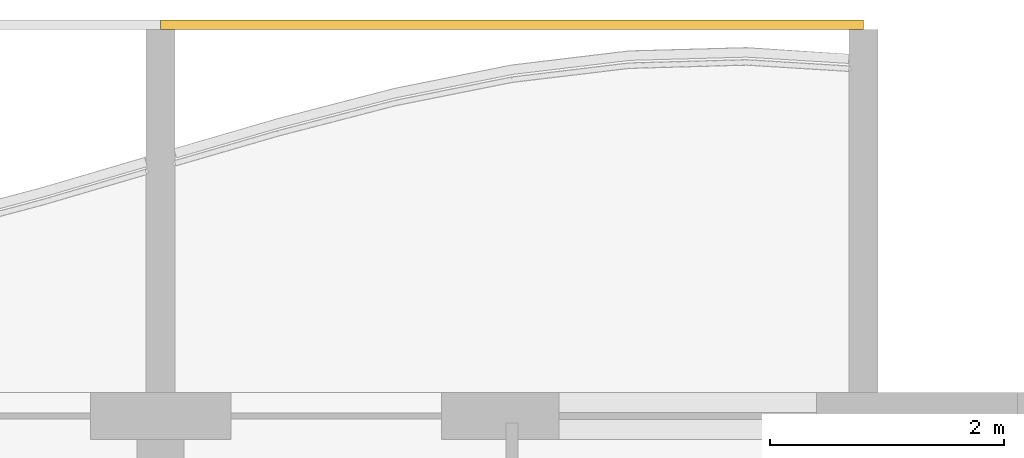
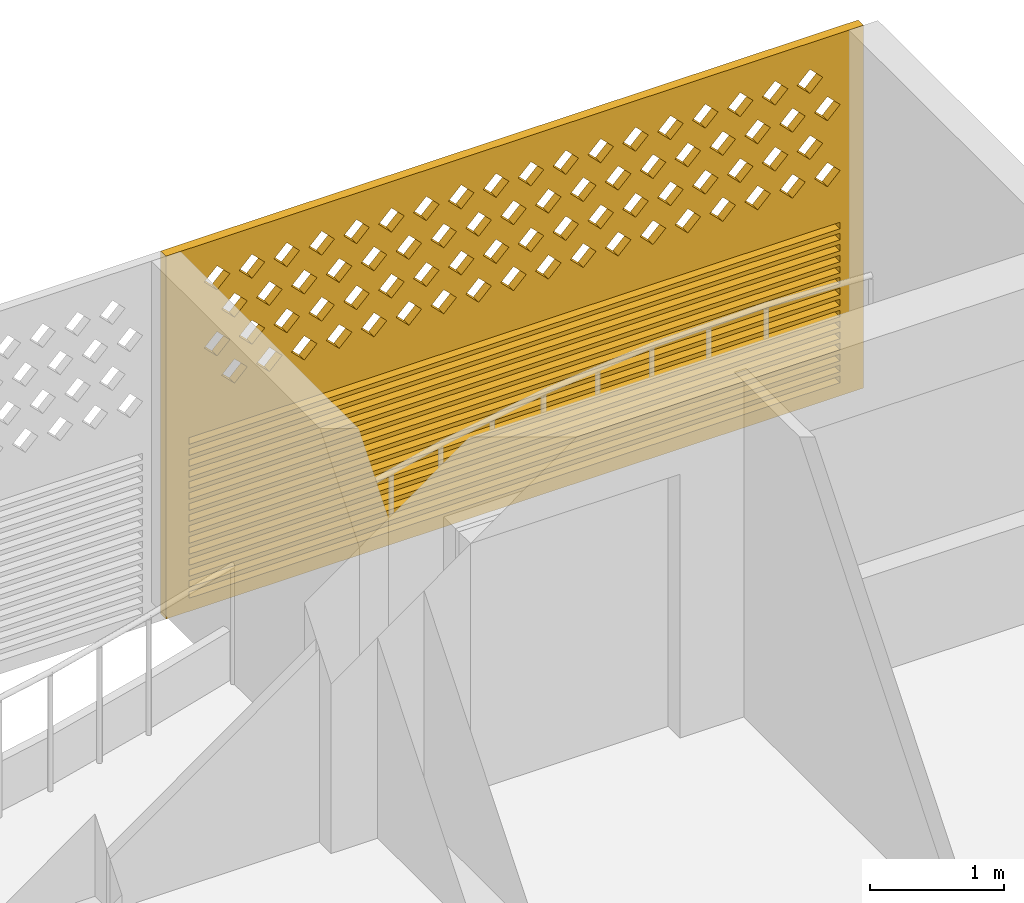
# One storey, part 44 of 44: 1 covering.
"""IFC4 building model written with IfcOpenShell, lengths in metres."""

from ifc_helpers import new_model, si_unit, direction, frame, origin, place, context, subcontext, project, spatial, polyline, outline, extrude, source, transform, mapped, material, material_profile, profile_set, type_object, element, save


model = new_model("IFC4")

# Units and contexts
model_context = context("Model", 3, precision=1e-05, world=origin(), true_north=direction((0.0, 1.0)))
body_context = subcontext(model_context, "Body", "Model", "MODEL_VIEW")
ifc_project = project(units=[si_unit("LENGTHUNIT", "METRE"), si_unit("AREAUNIT", "SQUARE_METRE"), si_unit("VOLUMEUNIT", "CUBIC_METRE"), si_unit("PLANEANGLEUNIT", "RADIAN"), si_unit("MASSUNIT", "GRAM", prefix="KILO")], contexts=[model_context])

# Site, building, storey
site_placement = place(None, origin())
site = spatial("IfcSite", under=ifc_project, at=site_placement, CompositionType="ELEMENT")
building_placement = place(site_placement, origin())
building = spatial("IfcBuilding", under=site, at=building_placement, Name="Poui Terraces", CompositionType="ELEMENT")
storey_placement = place(building_placement, frame((0.0, 0.0, 30.0)))
storey = spatial("IfcBuildingStorey", under=building, at=storey_placement, Name="L07", CompositionType="ELEMENT", Elevation=30.0)

# Covering
ifc_material = material(Name="Terracotta screen", Category="masonry")
ifc_material_profile = material_profile(ifc_material, outline(polyline([(-3.0, -1.64990234375), (3.0, -1.64990234375), (3.0, 1.64990234375), (-3.0, 1.64990234375), (-3.0, -1.64990234375)]), holes=[polyline([(-2.800048828125, 0.39990234375), (-2.68994140625, 0.2900390625), (-2.580078125, 0.39990234375), (-2.68994140625, 0.510009765625), (-2.800048828125, 0.39990234375)]), polyline([(-2.5, 0.39990234375), (-2.389892578125, 0.2900390625), (-2.280029296875, 0.39990234375), (-2.389892578125, 0.510009765625), (-2.5, 0.39990234375)]), polyline([(-2.199951171875, 0.39990234375), (-2.090087890625, 0.2900390625), (-1.97998046875, 0.39990234375), (-2.090087890625, 0.510009765625), (-2.199951171875, 0.39990234375)]), polyline([(-1.89990234375, 0.39990234375), (-1.7900390625, 0.2900390625), (-1.679931640625, 0.39990234375), (-1.7900390625, 0.510009765625), (-1.89990234375, 0.39990234375)]), polyline([(-1.60009765625, 0.39990234375), (-1.489990234375, 0.2900390625), (-1.3798828125, 0.39990234375), (-1.489990234375, 0.510009765625), (-1.60009765625, 0.39990234375)]), polyline([(-1.300048828125, 0.39990234375), (-1.18994140625, 0.2900390625), (-1.080078125, 0.39990234375), (-1.18994140625, 0.510009765625), (-1.300048828125, 0.39990234375)]), polyline([(-1.0, 0.39990234375), (-0.889892578125, 0.2900390625), (-0.780029296875, 0.39990234375), (-0.889892578125, 0.510009765625), (-1.0, 0.39990234375)]), polyline([(-0.699951171875, 0.39990234375), (-0.590087890625, 0.2900390625), (-0.47998046875, 0.39990234375), (-0.590087890625, 0.510009765625), (-0.699951171875, 0.39990234375)]), polyline([(-0.39990234375, 0.39990234375), (-0.2900390625, 0.2900390625), (-0.179931640625, 0.39990234375), (-0.2900390625, 0.510009765625), (-0.39990234375, 0.39990234375)]), polyline([(-0.10009765625, 0.39990234375), (0.010009765625, 0.2900390625), (0.1201171875, 0.39990234375), (0.010009765625, 0.510009765625), (-0.10009765625, 0.39990234375)]), polyline([(0.199951171875, 0.39990234375), (0.31005859375, 0.2900390625), (0.419921875, 0.39990234375), (0.31005859375, 0.510009765625), (0.199951171875, 0.39990234375)]), polyline([(0.5, 0.39990234375), (0.610107421875, 0.2900390625), (0.719970703125, 0.39990234375), (0.610107421875, 0.510009765625), (0.5, 0.39990234375)]), polyline([(0.800048828125, 0.39990234375), (0.909912109375, 0.2900390625), (1.02001953125, 0.39990234375), (0.909912109375, 0.510009765625), (0.800048828125, 0.39990234375)]), polyline([(1.10009765625, 0.39990234375), (1.2099609375, 0.2900390625), (1.320068359375, 0.39990234375), (1.2099609375, 0.510009765625), (1.10009765625, 0.39990234375)]), polyline([(1.39990234375, 0.39990234375), (1.510009765625, 0.2900390625), (1.6201171875, 0.39990234375), (1.510009765625, 0.510009765625), (1.39990234375, 0.39990234375)]), polyline([(1.699951171875, 0.39990234375), (1.81005859375, 0.2900390625), (1.919921875, 0.39990234375), (1.81005859375, 0.510009765625), (1.699951171875, 0.39990234375)]), polyline([(2.0, 0.39990234375), (2.110107421875, 0.2900390625), (2.219970703125, 0.39990234375), (2.110107421875, 0.510009765625), (2.0, 0.39990234375)]), polyline([(2.300048828125, 0.39990234375), (2.409912109375, 0.2900390625), (2.52001953125, 0.39990234375), (2.409912109375, 0.510009765625), (2.300048828125, 0.39990234375)]), polyline([(-2.64990234375, 0.699951171875), (-2.5400390625, 0.590087890625), (-2.429931640625, 0.699951171875), (-2.5400390625, 0.81005859375), (-2.64990234375, 0.699951171875)]), polyline([(-2.35009765625, 0.699951171875), (-2.239990234375, 0.590087890625), (-2.1298828125, 0.699951171875), (-2.239990234375, 0.81005859375), (-2.35009765625, 0.699951171875)]), polyline([(-2.050048828125, 0.699951171875), (-1.93994140625, 0.590087890625), (-1.830078125, 0.699951171875), (-1.93994140625, 0.81005859375), (-2.050048828125, 0.699951171875)]), polyline([(-1.75, 0.699951171875), (-1.639892578125, 0.590087890625), (-1.530029296875, 0.699951171875), (-1.639892578125, 0.81005859375), (-1.75, 0.699951171875)]), polyline([(-1.449951171875, 0.699951171875), (-1.340087890625, 0.590087890625), (-1.22998046875, 0.699951171875), (-1.340087890625, 0.81005859375), (-1.449951171875, 0.699951171875)]), polyline([(-1.14990234375, 0.699951171875), (-1.0400390625, 0.590087890625), (-0.929931640625, 0.699951171875), (-1.0400390625, 0.81005859375), (-1.14990234375, 0.699951171875)]), polyline([(-0.85009765625, 0.699951171875), (-0.739990234375, 0.590087890625), (-0.6298828125, 0.699951171875), (-0.739990234375, 0.81005859375), (-0.85009765625, 0.699951171875)]), polyline([(-0.550048828125, 0.699951171875), (-0.43994140625, 0.590087890625), (-0.330078125, 0.699951171875), (-0.43994140625, 0.81005859375), (-0.550048828125, 0.699951171875)]), polyline([(-0.25, 0.699951171875), (-0.139892578125, 0.590087890625), (-0.030029296875, 0.699951171875), (-0.139892578125, 0.81005859375), (-0.25, 0.699951171875)]), polyline([(0.050048828125, 0.699951171875), (0.159912109375, 0.590087890625), (0.27001953125, 0.699951171875), (0.159912109375, 0.81005859375), (0.050048828125, 0.699951171875)]), polyline([(0.35009765625, 0.699951171875), (0.4599609375, 0.590087890625), (0.570068359375, 0.699951171875), (0.4599609375, 0.81005859375), (0.35009765625, 0.699951171875)]), polyline([(0.64990234375, 0.699951171875), (0.760009765625, 0.590087890625), (0.8701171875, 0.699951171875), (0.760009765625, 0.81005859375), (0.64990234375, 0.699951171875)]), polyline([(0.949951171875, 0.699951171875), (1.06005859375, 0.590087890625), (1.169921875, 0.699951171875), (1.06005859375, 0.81005859375), (0.949951171875, 0.699951171875)]), polyline([(1.25, 0.699951171875), (1.360107421875, 0.590087890625), (1.469970703125, 0.699951171875), (1.360107421875, 0.81005859375), (1.25, 0.699951171875)]), polyline([(1.550048828125, 0.699951171875), (1.659912109375, 0.590087890625), (1.77001953125, 0.699951171875), (1.659912109375, 0.81005859375), (1.550048828125, 0.699951171875)]), polyline([(1.85009765625, 0.699951171875), (1.9599609375, 0.590087890625), (2.070068359375, 0.699951171875), (1.9599609375, 0.81005859375), (1.85009765625, 0.699951171875)]), polyline([(2.14990234375, 0.699951171875), (2.260009765625, 0.590087890625), (2.3701171875, 0.699951171875), (2.260009765625, 0.81005859375), (2.14990234375, 0.699951171875)]), polyline([(2.449951171875, 0.699951171875), (2.56005859375, 0.590087890625), (2.669921875, 0.699951171875), (2.56005859375, 0.81005859375), (2.449951171875, 0.699951171875)]), polyline([(-2.800048828125, 1.0), (-2.68994140625, 0.889892578125), (-2.580078125, 1.0), (-2.68994140625, 1.110107421875), (-2.800048828125, 1.0)]), polyline([(-2.5, 1.0), (-2.389892578125, 0.889892578125), (-2.280029296875, 1.0), (-2.389892578125, 1.110107421875), (-2.5, 1.0)]), polyline([(-2.199951171875, 1.0), (-2.090087890625, 0.889892578125), (-1.97998046875, 1.0), (-2.090087890625, 1.110107421875), (-2.199951171875, 1.0)]), polyline([(-1.89990234375, 1.0), (-1.7900390625, 0.889892578125), (-1.679931640625, 1.0), (-1.7900390625, 1.110107421875), (-1.89990234375, 1.0)]), polyline([(-1.60009765625, 1.0), (-1.489990234375, 0.889892578125), (-1.3798828125, 1.0), (-1.489990234375, 1.110107421875), (-1.60009765625, 1.0)]), polyline([(-1.300048828125, 1.0), (-1.18994140625, 0.889892578125), (-1.080078125, 1.0), (-1.18994140625, 1.110107421875), (-1.300048828125, 1.0)]), polyline([(-1.0, 1.0), (-0.889892578125, 0.889892578125), (-0.780029296875, 1.0), (-0.889892578125, 1.110107421875), (-1.0, 1.0)]), polyline([(-0.699951171875, 1.0), (-0.590087890625, 0.889892578125), (-0.47998046875, 1.0), (-0.590087890625, 1.110107421875), (-0.699951171875, 1.0)]), polyline([(-0.39990234375, 1.0), (-0.2900390625, 0.889892578125), (-0.179931640625, 1.0), (-0.2900390625, 1.110107421875), (-0.39990234375, 1.0)]), polyline([(-0.10009765625, 1.0), (0.010009765625, 0.889892578125), (0.1201171875, 1.0), (0.010009765625, 1.110107421875), (-0.10009765625, 1.0)]), polyline([(0.199951171875, 1.0), (0.31005859375, 0.889892578125), (0.419921875, 1.0), (0.31005859375, 1.110107421875), (0.199951171875, 1.0)]), polyline([(0.5, 1.0), (0.610107421875, 0.889892578125), (0.719970703125, 1.0), (0.610107421875, 1.110107421875), (0.5, 1.0)]), polyline([(0.800048828125, 1.0), (0.909912109375, 0.889892578125), (1.02001953125, 1.0), (0.909912109375, 1.110107421875), (0.800048828125, 1.0)]), polyline([(1.10009765625, 1.0), (1.2099609375, 0.889892578125), (1.320068359375, 1.0), (1.2099609375, 1.110107421875), (1.10009765625, 1.0)]), polyline([(1.39990234375, 1.0), (1.510009765625, 0.889892578125), (1.6201171875, 1.0), (1.510009765625, 1.110107421875), (1.39990234375, 1.0)]), polyline([(1.699951171875, 1.0), (1.81005859375, 0.889892578125), (1.919921875, 1.0), (1.81005859375, 1.110107421875), (1.699951171875, 1.0)]), polyline([(2.0, 1.0), (2.110107421875, 0.889892578125), (2.219970703125, 1.0), (2.110107421875, 1.110107421875), (2.0, 1.0)]), polyline([(2.300048828125, 1.0), (2.409912109375, 0.889892578125), (2.52001953125, 1.0), (2.409912109375, 1.110107421875), (2.300048828125, 1.0)]), polyline([(-2.64990234375, 1.300048828125), (-2.5400390625, 1.18994140625), (-2.429931640625, 1.300048828125), (-2.5400390625, 1.409912109375), (-2.64990234375, 1.300048828125)]), polyline([(-2.35009765625, 1.300048828125), (-2.239990234375, 1.18994140625), (-2.1298828125, 1.300048828125), (-2.239990234375, 1.409912109375), (-2.35009765625, 1.300048828125)]), polyline([(-2.050048828125, 1.300048828125), (-1.93994140625, 1.18994140625), (-1.830078125, 1.300048828125), (-1.93994140625, 1.409912109375), (-2.050048828125, 1.300048828125)]), polyline([(-1.75, 1.300048828125), (-1.639892578125, 1.18994140625), (-1.530029296875, 1.300048828125), (-1.639892578125, 1.409912109375), (-1.75, 1.300048828125)]), polyline([(-1.449951171875, 1.300048828125), (-1.340087890625, 1.18994140625), (-1.22998046875, 1.300048828125), (-1.340087890625, 1.409912109375), (-1.449951171875, 1.300048828125)]), polyline([(-1.14990234375, 1.300048828125), (-1.0400390625, 1.18994140625), (-0.929931640625, 1.300048828125), (-1.0400390625, 1.409912109375), (-1.14990234375, 1.300048828125)]), polyline([(-0.85009765625, 1.300048828125), (-0.739990234375, 1.18994140625), (-0.6298828125, 1.300048828125), (-0.739990234375, 1.409912109375), (-0.85009765625, 1.300048828125)]), polyline([(-0.550048828125, 1.300048828125), (-0.43994140625, 1.18994140625), (-0.330078125, 1.300048828125), (-0.43994140625, 1.409912109375), (-0.550048828125, 1.300048828125)]), polyline([(-0.25, 1.300048828125), (-0.139892578125, 1.18994140625), (-0.030029296875, 1.300048828125), (-0.139892578125, 1.409912109375), (-0.25, 1.300048828125)]), polyline([(0.050048828125, 1.300048828125), (0.159912109375, 1.18994140625), (0.27001953125, 1.300048828125), (0.159912109375, 1.409912109375), (0.050048828125, 1.300048828125)]), polyline([(0.35009765625, 1.300048828125), (0.4599609375, 1.18994140625), (0.570068359375, 1.300048828125), (0.4599609375, 1.409912109375), (0.35009765625, 1.300048828125)]), polyline([(0.64990234375, 1.300048828125), (0.760009765625, 1.18994140625), (0.8701171875, 1.300048828125), (0.760009765625, 1.409912109375), (0.64990234375, 1.300048828125)]), polyline([(0.949951171875, 1.300048828125), (1.06005859375, 1.18994140625), (1.169921875, 1.300048828125), (1.06005859375, 1.409912109375), (0.949951171875, 1.300048828125)]), polyline([(1.25, 1.300048828125), (1.360107421875, 1.18994140625), (1.469970703125, 1.300048828125), (1.360107421875, 1.409912109375), (1.25, 1.300048828125)]), polyline([(1.550048828125, 1.300048828125), (1.659912109375, 1.18994140625), (1.77001953125, 1.300048828125), (1.659912109375, 1.409912109375), (1.550048828125, 1.300048828125)]), polyline([(1.85009765625, 1.300048828125), (1.9599609375, 1.18994140625), (2.070068359375, 1.300048828125), (1.9599609375, 1.409912109375), (1.85009765625, 1.300048828125)]), polyline([(2.14990234375, 1.300048828125), (2.260009765625, 1.18994140625), (2.3701171875, 1.300048828125), (2.260009765625, 1.409912109375), (2.14990234375, 1.300048828125)]), polyline([(2.449951171875, 1.300048828125), (2.56005859375, 1.18994140625), (2.669921875, 1.300048828125), (2.56005859375, 1.409912109375), (2.449951171875, 1.300048828125)]), polyline([(-2.800048828125, -1.530029296875), (2.800048828125, -1.530029296875), (2.800048828125, -1.469970703125), (-2.800048828125, -1.469970703125), (-2.800048828125, -1.530029296875)]), polyline([(-2.800048828125, -1.429931640625), (2.800048828125, -1.429931640625), (2.800048828125, -1.3701171875), (-2.800048828125, -1.3701171875), (-2.800048828125, -1.429931640625)]), polyline([(-2.800048828125, -1.330078125), (2.800048828125, -1.330078125), (2.800048828125, -1.27001953125), (-2.800048828125, -1.27001953125), (-2.800048828125, -1.330078125)]), polyline([(-2.800048828125, -1.22998046875), (2.800048828125, -1.22998046875), (2.800048828125, -1.169921875), (-2.800048828125, -1.169921875), (-2.800048828125, -1.22998046875)]), polyline([(-2.800048828125, -1.1298828125), (2.800048828125, -1.1298828125), (2.800048828125, -1.070068359375), (-2.800048828125, -1.070068359375), (-2.800048828125, -1.1298828125)]), polyline([(-2.800048828125, -1.030029296875), (2.800048828125, -1.030029296875), (2.800048828125, -0.969970703125), (-2.800048828125, -0.969970703125), (-2.800048828125, -1.030029296875)]), polyline([(-2.800048828125, -0.929931640625), (2.800048828125, -0.929931640625), (2.800048828125, -0.8701171875), (-2.800048828125, -0.8701171875), (-2.800048828125, -0.929931640625)]), polyline([(-2.800048828125, -0.830078125), (2.800048828125, -0.830078125), (2.800048828125, -0.77001953125), (-2.800048828125, -0.77001953125), (-2.800048828125, -0.830078125)]), polyline([(-2.800048828125, -0.72998046875), (2.800048828125, -0.72998046875), (2.800048828125, -0.669921875), (-2.800048828125, -0.669921875), (-2.800048828125, -0.72998046875)]), polyline([(-2.800048828125, -0.6298828125), (2.800048828125, -0.6298828125), (2.800048828125, -0.570068359375), (-2.800048828125, -0.570068359375), (-2.800048828125, -0.6298828125)]), polyline([(-2.800048828125, -0.530029296875), (2.800048828125, -0.530029296875), (2.800048828125, -0.469970703125), (-2.800048828125, -0.469970703125), (-2.800048828125, -0.530029296875)]), polyline([(-2.800048828125, -0.429931640625), (2.800048828125, -0.429931640625), (2.800048828125, -0.3701171875), (-2.800048828125, -0.3701171875), (-2.800048828125, -0.429931640625)]), polyline([(-2.800048828125, -0.330078125), (2.800048828125, -0.330078125), (2.800048828125, -0.27001953125), (-2.800048828125, -0.27001953125), (-2.800048828125, -0.330078125)]), polyline([(-2.800048828125, -0.22998046875), (2.800048828125, -0.22998046875), (2.800048828125, -0.169921875), (-2.800048828125, -0.169921875), (-2.800048828125, -0.22998046875)]), polyline([(-2.800048828125, -0.1298828125), (2.800048828125, -0.1298828125), (2.800048828125, -0.070068359375), (-2.800048828125, -0.070068359375), (-2.800048828125, -0.1298828125)])]), Name="TERRACOTTA SCREEN AND JALOUSIE LOUVRE 6000X3300")
ifc_profile_set = profile_set([ifc_material_profile], Name="Terracotta screen")
covering_type = type_object("IfcCoveringType", Name="TERRACOTTA SCREEN AND JALOUSIE LOUVRE 6000X3300", PredefinedType="CLADDING", material=ifc_profile_set)
shared_shape = source(origin(), body_context, "Body", "SweptSolid", [
    extrude(outline(polyline([(-3.0, -1.64990234375), (3.0, -1.64990234375), (3.0, 1.64990234375), (-3.0, 1.64990234375), (-3.0, -1.64990234375)]), holes=[polyline([(-2.800048828125, 0.39990234375), (-2.68994140625, 0.2900390625), (-2.580078125, 0.39990234375), (-2.68994140625, 0.510009765625), (-2.800048828125, 0.39990234375)]), polyline([(-2.5, 0.39990234375), (-2.389892578125, 0.2900390625), (-2.280029296875, 0.39990234375), (-2.389892578125, 0.510009765625), (-2.5, 0.39990234375)]), polyline([(-2.199951171875, 0.39990234375), (-2.090087890625, 0.2900390625), (-1.97998046875, 0.39990234375), (-2.090087890625, 0.510009765625), (-2.199951171875, 0.39990234375)]), polyline([(-1.89990234375, 0.39990234375), (-1.7900390625, 0.2900390625), (-1.679931640625, 0.39990234375), (-1.7900390625, 0.510009765625), (-1.89990234375, 0.39990234375)]), polyline([(-1.60009765625, 0.39990234375), (-1.489990234375, 0.2900390625), (-1.3798828125, 0.39990234375), (-1.489990234375, 0.510009765625), (-1.60009765625, 0.39990234375)]), polyline([(-1.300048828125, 0.39990234375), (-1.18994140625, 0.2900390625), (-1.080078125, 0.39990234375), (-1.18994140625, 0.510009765625), (-1.300048828125, 0.39990234375)]), polyline([(-1.0, 0.39990234375), (-0.889892578125, 0.2900390625), (-0.780029296875, 0.39990234375), (-0.889892578125, 0.510009765625), (-1.0, 0.39990234375)]), polyline([(-0.699951171875, 0.39990234375), (-0.590087890625, 0.2900390625), (-0.47998046875, 0.39990234375), (-0.590087890625, 0.510009765625), (-0.699951171875, 0.39990234375)]), polyline([(-0.39990234375, 0.39990234375), (-0.2900390625, 0.2900390625), (-0.179931640625, 0.39990234375), (-0.2900390625, 0.510009765625), (-0.39990234375, 0.39990234375)]), polyline([(-0.10009765625, 0.39990234375), (0.010009765625, 0.2900390625), (0.1201171875, 0.39990234375), (0.010009765625, 0.510009765625), (-0.10009765625, 0.39990234375)]), polyline([(0.199951171875, 0.39990234375), (0.31005859375, 0.2900390625), (0.419921875, 0.39990234375), (0.31005859375, 0.510009765625), (0.199951171875, 0.39990234375)]), polyline([(0.5, 0.39990234375), (0.610107421875, 0.2900390625), (0.719970703125, 0.39990234375), (0.610107421875, 0.510009765625), (0.5, 0.39990234375)]), polyline([(0.800048828125, 0.39990234375), (0.909912109375, 0.2900390625), (1.02001953125, 0.39990234375), (0.909912109375, 0.510009765625), (0.800048828125, 0.39990234375)]), polyline([(1.10009765625, 0.39990234375), (1.2099609375, 0.2900390625), (1.320068359375, 0.39990234375), (1.2099609375, 0.510009765625), (1.10009765625, 0.39990234375)]), polyline([(1.39990234375, 0.39990234375), (1.510009765625, 0.2900390625), (1.6201171875, 0.39990234375), (1.510009765625, 0.510009765625), (1.39990234375, 0.39990234375)]), polyline([(1.699951171875, 0.39990234375), (1.81005859375, 0.2900390625), (1.919921875, 0.39990234375), (1.81005859375, 0.510009765625), (1.699951171875, 0.39990234375)]), polyline([(2.0, 0.39990234375), (2.110107421875, 0.2900390625), (2.219970703125, 0.39990234375), (2.110107421875, 0.510009765625), (2.0, 0.39990234375)]), polyline([(2.300048828125, 0.39990234375), (2.409912109375, 0.2900390625), (2.52001953125, 0.39990234375), (2.409912109375, 0.510009765625), (2.300048828125, 0.39990234375)]), polyline([(-2.64990234375, 0.699951171875), (-2.5400390625, 0.590087890625), (-2.429931640625, 0.699951171875), (-2.5400390625, 0.81005859375), (-2.64990234375, 0.699951171875)]), polyline([(-2.35009765625, 0.699951171875), (-2.239990234375, 0.590087890625), (-2.1298828125, 0.699951171875), (-2.239990234375, 0.81005859375), (-2.35009765625, 0.699951171875)]), polyline([(-2.050048828125, 0.699951171875), (-1.93994140625, 0.590087890625), (-1.830078125, 0.699951171875), (-1.93994140625, 0.81005859375), (-2.050048828125, 0.699951171875)]), polyline([(-1.75, 0.699951171875), (-1.639892578125, 0.590087890625), (-1.530029296875, 0.699951171875), (-1.639892578125, 0.81005859375), (-1.75, 0.699951171875)]), polyline([(-1.449951171875, 0.699951171875), (-1.340087890625, 0.590087890625), (-1.22998046875, 0.699951171875), (-1.340087890625, 0.81005859375), (-1.449951171875, 0.699951171875)]), polyline([(-1.14990234375, 0.699951171875), (-1.0400390625, 0.590087890625), (-0.929931640625, 0.699951171875), (-1.0400390625, 0.81005859375), (-1.14990234375, 0.699951171875)]), polyline([(-0.85009765625, 0.699951171875), (-0.739990234375, 0.590087890625), (-0.6298828125, 0.699951171875), (-0.739990234375, 0.81005859375), (-0.85009765625, 0.699951171875)]), polyline([(-0.550048828125, 0.699951171875), (-0.43994140625, 0.590087890625), (-0.330078125, 0.699951171875), (-0.43994140625, 0.81005859375), (-0.550048828125, 0.699951171875)]), polyline([(-0.25, 0.699951171875), (-0.139892578125, 0.590087890625), (-0.030029296875, 0.699951171875), (-0.139892578125, 0.81005859375), (-0.25, 0.699951171875)]), polyline([(0.050048828125, 0.699951171875), (0.159912109375, 0.590087890625), (0.27001953125, 0.699951171875), (0.159912109375, 0.81005859375), (0.050048828125, 0.699951171875)]), polyline([(0.35009765625, 0.699951171875), (0.4599609375, 0.590087890625), (0.570068359375, 0.699951171875), (0.4599609375, 0.81005859375), (0.35009765625, 0.699951171875)]), polyline([(0.64990234375, 0.699951171875), (0.760009765625, 0.590087890625), (0.8701171875, 0.699951171875), (0.760009765625, 0.81005859375), (0.64990234375, 0.699951171875)]), polyline([(0.949951171875, 0.699951171875), (1.06005859375, 0.590087890625), (1.169921875, 0.699951171875), (1.06005859375, 0.81005859375), (0.949951171875, 0.699951171875)]), polyline([(1.25, 0.699951171875), (1.360107421875, 0.590087890625), (1.469970703125, 0.699951171875), (1.360107421875, 0.81005859375), (1.25, 0.699951171875)]), polyline([(1.550048828125, 0.699951171875), (1.659912109375, 0.590087890625), (1.77001953125, 0.699951171875), (1.659912109375, 0.81005859375), (1.550048828125, 0.699951171875)]), polyline([(1.85009765625, 0.699951171875), (1.9599609375, 0.590087890625), (2.070068359375, 0.699951171875), (1.9599609375, 0.81005859375), (1.85009765625, 0.699951171875)]), polyline([(2.14990234375, 0.699951171875), (2.260009765625, 0.590087890625), (2.3701171875, 0.699951171875), (2.260009765625, 0.81005859375), (2.14990234375, 0.699951171875)]), polyline([(2.449951171875, 0.699951171875), (2.56005859375, 0.590087890625), (2.669921875, 0.699951171875), (2.56005859375, 0.81005859375), (2.449951171875, 0.699951171875)]), polyline([(-2.800048828125, 1.0), (-2.68994140625, 0.889892578125), (-2.580078125, 1.0), (-2.68994140625, 1.110107421875), (-2.800048828125, 1.0)]), polyline([(-2.5, 1.0), (-2.389892578125, 0.889892578125), (-2.280029296875, 1.0), (-2.389892578125, 1.110107421875), (-2.5, 1.0)]), polyline([(-2.199951171875, 1.0), (-2.090087890625, 0.889892578125), (-1.97998046875, 1.0), (-2.090087890625, 1.110107421875), (-2.199951171875, 1.0)]), polyline([(-1.89990234375, 1.0), (-1.7900390625, 0.889892578125), (-1.679931640625, 1.0), (-1.7900390625, 1.110107421875), (-1.89990234375, 1.0)]), polyline([(-1.60009765625, 1.0), (-1.489990234375, 0.889892578125), (-1.3798828125, 1.0), (-1.489990234375, 1.110107421875), (-1.60009765625, 1.0)]), polyline([(-1.300048828125, 1.0), (-1.18994140625, 0.889892578125), (-1.080078125, 1.0), (-1.18994140625, 1.110107421875), (-1.300048828125, 1.0)]), polyline([(-1.0, 1.0), (-0.889892578125, 0.889892578125), (-0.780029296875, 1.0), (-0.889892578125, 1.110107421875), (-1.0, 1.0)]), polyline([(-0.699951171875, 1.0), (-0.590087890625, 0.889892578125), (-0.47998046875, 1.0), (-0.590087890625, 1.110107421875), (-0.699951171875, 1.0)]), polyline([(-0.39990234375, 1.0), (-0.2900390625, 0.889892578125), (-0.179931640625, 1.0), (-0.2900390625, 1.110107421875), (-0.39990234375, 1.0)]), polyline([(-0.10009765625, 1.0), (0.010009765625, 0.889892578125), (0.1201171875, 1.0), (0.010009765625, 1.110107421875), (-0.10009765625, 1.0)]), polyline([(0.199951171875, 1.0), (0.31005859375, 0.889892578125), (0.419921875, 1.0), (0.31005859375, 1.110107421875), (0.199951171875, 1.0)]), polyline([(0.5, 1.0), (0.610107421875, 0.889892578125), (0.719970703125, 1.0), (0.610107421875, 1.110107421875), (0.5, 1.0)]), polyline([(0.800048828125, 1.0), (0.909912109375, 0.889892578125), (1.02001953125, 1.0), (0.909912109375, 1.110107421875), (0.800048828125, 1.0)]), polyline([(1.10009765625, 1.0), (1.2099609375, 0.889892578125), (1.320068359375, 1.0), (1.2099609375, 1.110107421875), (1.10009765625, 1.0)]), polyline([(1.39990234375, 1.0), (1.510009765625, 0.889892578125), (1.6201171875, 1.0), (1.510009765625, 1.110107421875), (1.39990234375, 1.0)]), polyline([(1.699951171875, 1.0), (1.81005859375, 0.889892578125), (1.919921875, 1.0), (1.81005859375, 1.110107421875), (1.699951171875, 1.0)]), polyline([(2.0, 1.0), (2.110107421875, 0.889892578125), (2.219970703125, 1.0), (2.110107421875, 1.110107421875), (2.0, 1.0)]), polyline([(2.300048828125, 1.0), (2.409912109375, 0.889892578125), (2.52001953125, 1.0), (2.409912109375, 1.110107421875), (2.300048828125, 1.0)]), polyline([(-2.64990234375, 1.300048828125), (-2.5400390625, 1.18994140625), (-2.429931640625, 1.300048828125), (-2.5400390625, 1.409912109375), (-2.64990234375, 1.300048828125)]), polyline([(-2.35009765625, 1.300048828125), (-2.239990234375, 1.18994140625), (-2.1298828125, 1.300048828125), (-2.239990234375, 1.409912109375), (-2.35009765625, 1.300048828125)]), polyline([(-2.050048828125, 1.300048828125), (-1.93994140625, 1.18994140625), (-1.830078125, 1.300048828125), (-1.93994140625, 1.409912109375), (-2.050048828125, 1.300048828125)]), polyline([(-1.75, 1.300048828125), (-1.639892578125, 1.18994140625), (-1.530029296875, 1.300048828125), (-1.639892578125, 1.409912109375), (-1.75, 1.300048828125)]), polyline([(-1.449951171875, 1.300048828125), (-1.340087890625, 1.18994140625), (-1.22998046875, 1.300048828125), (-1.340087890625, 1.409912109375), (-1.449951171875, 1.300048828125)]), polyline([(-1.14990234375, 1.300048828125), (-1.0400390625, 1.18994140625), (-0.929931640625, 1.300048828125), (-1.0400390625, 1.409912109375), (-1.14990234375, 1.300048828125)]), polyline([(-0.85009765625, 1.300048828125), (-0.739990234375, 1.18994140625), (-0.6298828125, 1.300048828125), (-0.739990234375, 1.409912109375), (-0.85009765625, 1.300048828125)]), polyline([(-0.550048828125, 1.300048828125), (-0.43994140625, 1.18994140625), (-0.330078125, 1.300048828125), (-0.43994140625, 1.409912109375), (-0.550048828125, 1.300048828125)]), polyline([(-0.25, 1.300048828125), (-0.139892578125, 1.18994140625), (-0.030029296875, 1.300048828125), (-0.139892578125, 1.409912109375), (-0.25, 1.300048828125)]), polyline([(0.050048828125, 1.300048828125), (0.159912109375, 1.18994140625), (0.27001953125, 1.300048828125), (0.159912109375, 1.409912109375), (0.050048828125, 1.300048828125)]), polyline([(0.35009765625, 1.300048828125), (0.4599609375, 1.18994140625), (0.570068359375, 1.300048828125), (0.4599609375, 1.409912109375), (0.35009765625, 1.300048828125)]), polyline([(0.64990234375, 1.300048828125), (0.760009765625, 1.18994140625), (0.8701171875, 1.300048828125), (0.760009765625, 1.409912109375), (0.64990234375, 1.300048828125)]), polyline([(0.949951171875, 1.300048828125), (1.06005859375, 1.18994140625), (1.169921875, 1.300048828125), (1.06005859375, 1.409912109375), (0.949951171875, 1.300048828125)]), polyline([(1.25, 1.300048828125), (1.360107421875, 1.18994140625), (1.469970703125, 1.300048828125), (1.360107421875, 1.409912109375), (1.25, 1.300048828125)]), polyline([(1.550048828125, 1.300048828125), (1.659912109375, 1.18994140625), (1.77001953125, 1.300048828125), (1.659912109375, 1.409912109375), (1.550048828125, 1.300048828125)]), polyline([(1.85009765625, 1.300048828125), (1.9599609375, 1.18994140625), (2.070068359375, 1.300048828125), (1.9599609375, 1.409912109375), (1.85009765625, 1.300048828125)]), polyline([(2.14990234375, 1.300048828125), (2.260009765625, 1.18994140625), (2.3701171875, 1.300048828125), (2.260009765625, 1.409912109375), (2.14990234375, 1.300048828125)]), polyline([(2.449951171875, 1.300048828125), (2.56005859375, 1.18994140625), (2.669921875, 1.300048828125), (2.56005859375, 1.409912109375), (2.449951171875, 1.300048828125)]), polyline([(-2.800048828125, -1.530029296875), (2.800048828125, -1.530029296875), (2.800048828125, -1.469970703125), (-2.800048828125, -1.469970703125), (-2.800048828125, -1.530029296875)]), polyline([(-2.800048828125, -1.429931640625), (2.800048828125, -1.429931640625), (2.800048828125, -1.3701171875), (-2.800048828125, -1.3701171875), (-2.800048828125, -1.429931640625)]), polyline([(-2.800048828125, -1.330078125), (2.800048828125, -1.330078125), (2.800048828125, -1.27001953125), (-2.800048828125, -1.27001953125), (-2.800048828125, -1.330078125)]), polyline([(-2.800048828125, -1.22998046875), (2.800048828125, -1.22998046875), (2.800048828125, -1.169921875), (-2.800048828125, -1.169921875), (-2.800048828125, -1.22998046875)]), polyline([(-2.800048828125, -1.1298828125), (2.800048828125, -1.1298828125), (2.800048828125, -1.070068359375), (-2.800048828125, -1.070068359375), (-2.800048828125, -1.1298828125)]), polyline([(-2.800048828125, -1.030029296875), (2.800048828125, -1.030029296875), (2.800048828125, -0.969970703125), (-2.800048828125, -0.969970703125), (-2.800048828125, -1.030029296875)]), polyline([(-2.800048828125, -0.929931640625), (2.800048828125, -0.929931640625), (2.800048828125, -0.8701171875), (-2.800048828125, -0.8701171875), (-2.800048828125, -0.929931640625)]), polyline([(-2.800048828125, -0.830078125), (2.800048828125, -0.830078125), (2.800048828125, -0.77001953125), (-2.800048828125, -0.77001953125), (-2.800048828125, -0.830078125)]), polyline([(-2.800048828125, -0.72998046875), (2.800048828125, -0.72998046875), (2.800048828125, -0.669921875), (-2.800048828125, -0.669921875), (-2.800048828125, -0.72998046875)]), polyline([(-2.800048828125, -0.6298828125), (2.800048828125, -0.6298828125), (2.800048828125, -0.570068359375), (-2.800048828125, -0.570068359375), (-2.800048828125, -0.6298828125)]), polyline([(-2.800048828125, -0.530029296875), (2.800048828125, -0.530029296875), (2.800048828125, -0.469970703125), (-2.800048828125, -0.469970703125), (-2.800048828125, -0.530029296875)]), polyline([(-2.800048828125, -0.429931640625), (2.800048828125, -0.429931640625), (2.800048828125, -0.3701171875), (-2.800048828125, -0.3701171875), (-2.800048828125, -0.429931640625)]), polyline([(-2.800048828125, -0.330078125), (2.800048828125, -0.330078125), (2.800048828125, -0.27001953125), (-2.800048828125, -0.27001953125), (-2.800048828125, -0.330078125)]), polyline([(-2.800048828125, -0.22998046875), (2.800048828125, -0.22998046875), (2.800048828125, -0.169921875), (-2.800048828125, -0.169921875), (-2.800048828125, -0.22998046875)]), polyline([(-2.800048828125, -0.1298828125), (2.800048828125, -0.1298828125), (2.800048828125, -0.070068359375), (-2.800048828125, -0.070068359375), (-2.800048828125, -0.1298828125)])]), origin(), (0.0, 0.0, 1.0), 0.079833984375),
])
covering_placement = place(storey_placement, frame((93.0, 48.10009765625, 1.449951171875), z_axis=(0.0, 1.0, 0.0), x_axis=(-1.0, 0.0, 0.0)))
element("IfcCovering", 1, at=covering_placement, inside=storey, type_object=covering_type, Name="SOLAR SCREEN AND JALOUSIE LOUVRE", PredefinedType="CLADDING", context=body_context, shape_type="MappedRepresentation", body=[
    mapped(shared_shape, transform((0.0, 0.0, 0.0))),
])

save(model, "model.ifc")
